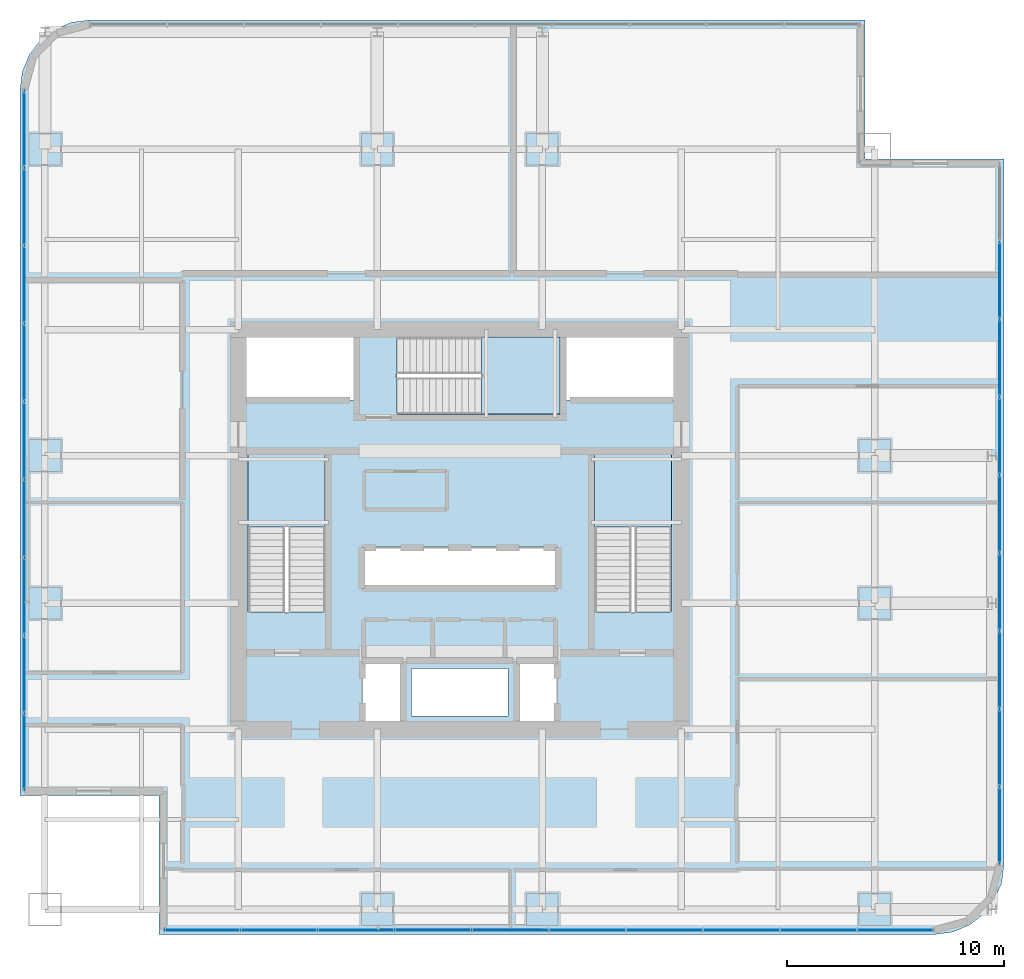
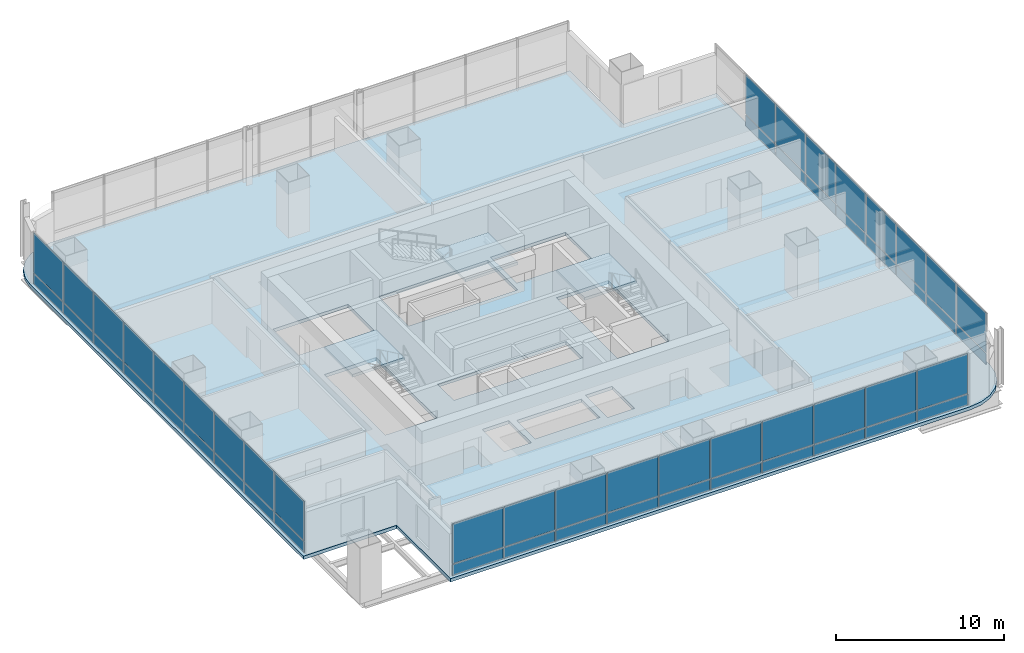
# One storey, part 26 of 35: 54 plates, 4 slabs, 6 elements without a shape of their own.
"""IFC4 building model written with IfcOpenShell, lengths in metres."""

from ifc_helpers import new_model, si_unit, direction, frame, origin, origin_2d, place, context, subcontext, project, spatial, polyline, rectangle, outline, extrude, material, layer, layer_set, type_object, element, aggregate, save


model = new_model("IFC4")

# Units and contexts
model_context = context("Model", 3, precision=1e-05, world=origin(), true_north=direction((0.0, 1.0)))
body_context = subcontext(model_context, "Body", "Model", "MODEL_VIEW")
ifc_project = project(units=[si_unit("LENGTHUNIT", "METRE"), si_unit("AREAUNIT", "SQUARE_METRE"), si_unit("VOLUMEUNIT", "CUBIC_METRE"), si_unit("PLANEANGLEUNIT", "RADIAN"), si_unit("MASSUNIT", "GRAM", prefix="KILO")], contexts=[model_context])

# Site, building, storey
site_placement = place(None, origin())
site = spatial("IfcSite", under=ifc_project, at=site_placement, CompositionType="ELEMENT")
building_placement = place(site_placement, origin())
building = spatial("IfcBuilding", under=site, at=building_placement, Name="Punatoya Terracotta Tower", CompositionType="ELEMENT")
storey_placement = place(building_placement, frame((0.0, 0.0, 113.25)))
storey = spatial("IfcBuildingStorey", under=building, at=storey_placement, Name="L26", CompositionType="ELEMENT", Elevation=113.25)

# Curtain wall, plates
ifc_material_1 = material(Name="Aluminium 6063-T6 + Double Low-E Glass", Category="aluminium")
curtain_wall_type = type_object("IfcCurtainWallType", Name="CW-M1", PredefinedType="NOTDEFINED", material=ifc_material_1)
curtain_wall_1_placement = place(storey_placement, origin())
curtain_wall_1 = element("IfcCurtainWall", 1, at=curtain_wall_1_placement, inside=storey, type_object=curtain_wall_type, Name="L26 Curtain Wall CW-L26-S01-1", PredefinedType="NOTDEFINED")
ifc_material_2 = material(Name="Double Low-E Clear Vision Glass", Category="glass")
ifc_layer_1 = layer(ifc_material_2, 0.028076171875)
ifc_layer_set_1 = layer_set([ifc_layer_1], Name="Double Low-E Clear Vision Glass")
plate_type_1 = type_object("IfcPlateType", Name="PLT-GLZ-28", PredefinedType="CURTAIN_PANEL", material=ifc_layer_set_1)
plate_1_placement = place(storey_placement, frame((-11.875732421875, -18.449951171875, 0.89013671875), z_axis=(0.0, 0.0, 1.0), x_axis=(1.0, 0.0, 0.0)))
plate_1 = element("IfcPlate", 2, at=plate_1_placement, type_object=plate_type_1, Name="CW-L26-S01-1 Vision Glass Panel 1", PredefinedType="CURTAIN_PANEL", context=body_context, shape_type="SweptSolid", body=[
    extrude(rectangle(XDim=3.463623046875, YDim=0.028076171875, at=origin_2d()), origin(), (0.0, 0.0, 1.0), 2.8798828125),
])
plate_2_placement = place(storey_placement, frame((-8.326904296875, -18.449951171875, 0.89013671875), z_axis=(0.0, 0.0, 1.0), x_axis=(1.0, 0.0, 0.0)))
plate_2 = element("IfcPlate", 3, at=plate_2_placement, type_object=plate_type_1, Name="CW-L26-S01-1 Vision Glass Panel 2", PredefinedType="CURTAIN_PANEL", context=body_context, shape_type="SweptSolid", body=[
    extrude(rectangle(XDim=3.463623046875, YDim=0.028076171875, at=origin_2d()), origin(), (0.0, 0.0, 1.0), 2.8798828125),
])
plate_3_placement = place(storey_placement, frame((-4.7783203125, -18.449951171875, 0.89013671875), z_axis=(0.0, 0.0, 1.0), x_axis=(1.0, 0.0, 0.0)))
plate_3 = element("IfcPlate", 4, at=plate_3_placement, type_object=plate_type_1, Name="CW-L26-S01-1 Vision Glass Panel 3", PredefinedType="CURTAIN_PANEL", context=body_context, shape_type="SweptSolid", body=[
    extrude(rectangle(XDim=3.463623046875, YDim=0.028076171875, at=origin_2d()), origin(), (0.0, 0.0, 1.0), 2.8798828125),
])
plate_4_placement = place(storey_placement, frame((-1.2294921875, -18.449951171875, 0.89013671875), z_axis=(0.0, 0.0, 1.0), x_axis=(1.0, 0.0, 0.0)))
plate_4 = element("IfcPlate", 5, at=plate_4_placement, type_object=plate_type_1, Name="CW-L26-S01-1 Vision Glass Panel 4", PredefinedType="CURTAIN_PANEL", context=body_context, shape_type="SweptSolid", body=[
    extrude(rectangle(XDim=3.463623046875, YDim=0.028076171875, at=origin_2d()), origin(), (0.0, 0.0, 1.0), 2.8798828125),
])
plate_5_placement = place(storey_placement, frame((2.319091796875, -18.449951171875, 0.89013671875), z_axis=(0.0, 0.0, 1.0), x_axis=(1.0, 0.0, 0.0)))
plate_5 = element("IfcPlate", 6, at=plate_5_placement, type_object=plate_type_1, Name="CW-L26-S01-1 Vision Glass Panel 5", PredefinedType="CURTAIN_PANEL", context=body_context, shape_type="SweptSolid", body=[
    extrude(rectangle(XDim=3.463623046875, YDim=0.028076171875, at=origin_2d()), origin(), (0.0, 0.0, 1.0), 2.8798828125),
])
plate_6_placement = place(storey_placement, frame((5.867919921875, -18.449951171875, 0.89013671875), z_axis=(0.0, 0.0, 1.0), x_axis=(1.0, 0.0, 0.0)))
plate_6 = element("IfcPlate", 7, at=plate_6_placement, type_object=plate_type_1, Name="CW-L26-S01-1 Vision Glass Panel 6", PredefinedType="CURTAIN_PANEL", context=body_context, shape_type="SweptSolid", body=[
    extrude(rectangle(XDim=3.463623046875, YDim=0.028076171875, at=origin_2d()), origin(), (0.0, 0.0, 1.0), 2.8798828125),
])
plate_7_placement = place(storey_placement, frame((9.41650390625, -18.449951171875, 0.89013671875), z_axis=(0.0, 0.0, 1.0), x_axis=(1.0, 0.0, 0.0)))
plate_7 = element("IfcPlate", 8, at=plate_7_placement, type_object=plate_type_1, Name="CW-L26-S01-1 Vision Glass Panel 7", PredefinedType="CURTAIN_PANEL", context=body_context, shape_type="SweptSolid", body=[
    extrude(rectangle(XDim=3.463623046875, YDim=0.028076171875, at=origin_2d()), origin(), (0.0, 0.0, 1.0), 2.8798828125),
])
plate_8_placement = place(storey_placement, frame((12.965087890625, -18.449951171875, 0.89013671875), z_axis=(0.0, 0.0, 1.0), x_axis=(1.0, 0.0, 0.0)))
plate_8 = element("IfcPlate", 9, at=plate_8_placement, type_object=plate_type_1, Name="CW-L26-S01-1 Vision Glass Panel 8", PredefinedType="CURTAIN_PANEL", context=body_context, shape_type="SweptSolid", body=[
    extrude(rectangle(XDim=3.463623046875, YDim=0.028076171875, at=origin_2d()), origin(), (0.0, 0.0, 1.0), 2.8798828125),
])
plate_9_placement = place(storey_placement, frame((16.513916015625, -18.449951171875, 0.89013671875), z_axis=(0.0, 0.0, 1.0), x_axis=(1.0, 0.0, 0.0)))
plate_9 = element("IfcPlate", 10, at=plate_9_placement, type_object=plate_type_1, Name="CW-L26-S01-1 Vision Glass Panel 9", PredefinedType="CURTAIN_PANEL", context=body_context, shape_type="SweptSolid", body=[
    extrude(rectangle(XDim=3.463623046875, YDim=0.028076171875, at=origin_2d()), origin(), (0.0, 0.0, 1.0), 2.8798828125),
])
plate_10_placement = place(storey_placement, frame((20.0625, -18.449951171875, 0.89013671875), z_axis=(0.0, 0.0, 1.0), x_axis=(1.0, 0.0, 0.0)))
plate_10 = element("IfcPlate", 11, at=plate_10_placement, type_object=plate_type_1, Name="CW-L26-S01-1 Vision Glass Panel 10", PredefinedType="CURTAIN_PANEL", context=body_context, shape_type="SweptSolid", body=[
    extrude(rectangle(XDim=3.463623046875, YDim=0.028076171875, at=origin_2d()), origin(), (0.0, 0.0, 1.0), 2.8798828125),
])

curtain_wall_2_placement = place(storey_placement, origin())
curtain_wall_2 = element("IfcCurtainWall", 12, at=curtain_wall_2_placement, inside=storey, type_object=curtain_wall_type, Name="L26 Curtain Wall CW-L26-E05-1", PredefinedType="NOTDEFINED")
plate_11_placement = place(storey_placement, frame((24.85009765625, -13.643310546875, 0.89013671875), z_axis=(0.0, 0.0, 1.0), x_axis=(0.0, 1.0, 0.0)))
plate_11 = element("IfcPlate", 13, at=plate_11_placement, type_object=plate_type_1, Name="CW-L26-E05-1 Vision Glass Panel 1", PredefinedType="CURTAIN_PANEL", context=body_context, shape_type="SweptSolid", body=[
    extrude(rectangle(XDim=3.50244140625, YDim=0.028076171875, at=origin_2d()), origin(), (0.0, 0.0, 1.0), 2.8798828125),
])
plate_12_placement = place(storey_placement, frame((24.85009765625, -10.0556640625, 0.89013671875), z_axis=(0.0, 0.0, 1.0), x_axis=(0.0, 1.0, 0.0)))
plate_12 = element("IfcPlate", 14, at=plate_12_placement, type_object=plate_type_1, Name="CW-L26-E05-1 Vision Glass Panel 2", PredefinedType="CURTAIN_PANEL", context=body_context, shape_type="SweptSolid", body=[
    extrude(rectangle(XDim=3.50244140625, YDim=0.028076171875, at=origin_2d()), origin(), (0.0, 0.0, 1.0), 2.8798828125),
])
plate_13_placement = place(storey_placement, frame((24.85009765625, -6.46826171875, 0.89013671875), z_axis=(0.0, 0.0, 1.0), x_axis=(0.0, 1.0, 0.0)))
plate_13 = element("IfcPlate", 15, at=plate_13_placement, type_object=plate_type_1, Name="CW-L26-E05-1 Vision Glass Panel 3", PredefinedType="CURTAIN_PANEL", context=body_context, shape_type="SweptSolid", body=[
    extrude(rectangle(XDim=3.50244140625, YDim=0.028076171875, at=origin_2d()), origin(), (0.0, 0.0, 1.0), 2.8798828125),
])
plate_14_placement = place(storey_placement, frame((24.85009765625, -2.880859375, 0.89013671875), z_axis=(0.0, 0.0, 1.0), x_axis=(0.0, 1.0, 0.0)))
plate_14 = element("IfcPlate", 16, at=plate_14_placement, type_object=plate_type_1, Name="CW-L26-E05-1 Vision Glass Panel 4", PredefinedType="CURTAIN_PANEL", context=body_context, shape_type="SweptSolid", body=[
    extrude(rectangle(XDim=3.50244140625, YDim=0.028076171875, at=origin_2d()), origin(), (0.0, 0.0, 1.0), 2.8798828125),
])
plate_15_placement = place(storey_placement, frame((24.85009765625, 0.70654296875, 0.89013671875), z_axis=(0.0, 0.0, 1.0), x_axis=(0.0, 1.0, 0.0)))
plate_15 = element("IfcPlate", 17, at=plate_15_placement, type_object=plate_type_1, Name="CW-L26-E05-1 Vision Glass Panel 5", PredefinedType="CURTAIN_PANEL", context=body_context, shape_type="SweptSolid", body=[
    extrude(rectangle(XDim=3.50244140625, YDim=0.028076171875, at=origin_2d()), origin(), (0.0, 0.0, 1.0), 2.8798828125),
])
plate_16_placement = place(storey_placement, frame((24.85009765625, 4.2939453125, 0.89013671875), z_axis=(0.0, 0.0, 1.0), x_axis=(0.0, 1.0, 0.0)))
plate_16 = element("IfcPlate", 18, at=plate_16_placement, type_object=plate_type_1, Name="CW-L26-E05-1 Vision Glass Panel 6", PredefinedType="CURTAIN_PANEL", context=body_context, shape_type="SweptSolid", body=[
    extrude(rectangle(XDim=3.50244140625, YDim=0.028076171875, at=origin_2d()), origin(), (0.0, 0.0, 1.0), 2.8798828125),
])
plate_17_placement = place(storey_placement, frame((24.85009765625, 7.88134765625, 0.89013671875), z_axis=(0.0, 0.0, 1.0), x_axis=(0.0, 1.0, 0.0)))
plate_17 = element("IfcPlate", 19, at=plate_17_placement, type_object=plate_type_1, Name="CW-L26-E05-1 Vision Glass Panel 7", PredefinedType="CURTAIN_PANEL", context=body_context, shape_type="SweptSolid", body=[
    extrude(rectangle(XDim=3.50244140625, YDim=0.028076171875, at=origin_2d()), origin(), (0.0, 0.0, 1.0), 2.8798828125),
])
plate_18_placement = place(storey_placement, frame((24.85009765625, 11.468994140625, 0.89013671875), z_axis=(0.0, 0.0, 1.0), x_axis=(0.0, 1.0, 0.0)))
plate_18 = element("IfcPlate", 20, at=plate_18_placement, type_object=plate_type_1, Name="CW-L26-E05-1 Vision Glass Panel 8", PredefinedType="CURTAIN_PANEL", context=body_context, shape_type="SweptSolid", body=[
    extrude(rectangle(XDim=3.50244140625, YDim=0.028076171875, at=origin_2d()), origin(), (0.0, 0.0, 1.0), 2.8798828125),
])

curtain_wall_3_placement = place(storey_placement, origin())
curtain_wall_3 = element("IfcCurtainWall", 21, at=curtain_wall_3_placement, inside=storey, type_object=curtain_wall_type, Name="L26 Curtain Wall CW-L26-W12-1", PredefinedType="NOTDEFINED")
plate_19_placement = place(storey_placement, frame((-20.050048828125, 18.443115234375, 0.89013671875), z_axis=(0.0, 0.0, 1.0), x_axis=(0.0, -1.0, 0.0)))
plate_19 = element("IfcPlate", 22, at=plate_19_placement, type_object=plate_type_1, Name="CW-L26-W12-1 Vision Glass Panel 1", PredefinedType="CURTAIN_PANEL", context=body_context, shape_type="SweptSolid", body=[
    extrude(rectangle(XDim=3.50244140625, YDim=0.028076171875, at=origin_2d()), origin(), (0.0, 0.0, 1.0), 2.8798828125),
])
plate_20_placement = place(storey_placement, frame((-20.050048828125, 14.855712890625, 0.89013671875), z_axis=(0.0, 0.0, 1.0), x_axis=(0.0, -1.0, 0.0)))
plate_20 = element("IfcPlate", 23, at=plate_20_placement, type_object=plate_type_1, Name="CW-L26-W12-1 Vision Glass Panel 2", PredefinedType="CURTAIN_PANEL", context=body_context, shape_type="SweptSolid", body=[
    extrude(rectangle(XDim=3.50244140625, YDim=0.028076171875, at=origin_2d()), origin(), (0.0, 0.0, 1.0), 2.8798828125),
])
plate_21_placement = place(storey_placement, frame((-20.050048828125, 11.268310546875, 0.89013671875), z_axis=(0.0, 0.0, 1.0), x_axis=(0.0, -1.0, 0.0)))
plate_21 = element("IfcPlate", 24, at=plate_21_placement, type_object=plate_type_1, Name="CW-L26-W12-1 Vision Glass Panel 3", PredefinedType="CURTAIN_PANEL", context=body_context, shape_type="SweptSolid", body=[
    extrude(rectangle(XDim=3.50244140625, YDim=0.028076171875, at=origin_2d()), origin(), (0.0, 0.0, 1.0), 2.8798828125),
])
plate_22_placement = place(storey_placement, frame((-20.050048828125, 7.680908203125, 0.89013671875), z_axis=(0.0, 0.0, 1.0), x_axis=(0.0, -1.0, 0.0)))
plate_22 = element("IfcPlate", 25, at=plate_22_placement, type_object=plate_type_1, Name="CW-L26-W12-1 Vision Glass Panel 4", PredefinedType="CURTAIN_PANEL", context=body_context, shape_type="SweptSolid", body=[
    extrude(rectangle(XDim=3.50244140625, YDim=0.028076171875, at=origin_2d()), origin(), (0.0, 0.0, 1.0), 2.8798828125),
])
plate_23_placement = place(storey_placement, frame((-20.050048828125, 4.093505859375, 0.89013671875), z_axis=(0.0, 0.0, 1.0), x_axis=(0.0, -1.0, 0.0)))
plate_23 = element("IfcPlate", 26, at=plate_23_placement, type_object=plate_type_1, Name="CW-L26-W12-1 Vision Glass Panel 5", PredefinedType="CURTAIN_PANEL", context=body_context, shape_type="SweptSolid", body=[
    extrude(rectangle(XDim=3.50244140625, YDim=0.028076171875, at=origin_2d()), origin(), (0.0, 0.0, 1.0), 2.8798828125),
])
plate_24_placement = place(storey_placement, frame((-20.050048828125, 0.506103515625, 0.89013671875), z_axis=(0.0, 0.0, 1.0), x_axis=(0.0, -1.0, 0.0)))
plate_24 = element("IfcPlate", 27, at=plate_24_placement, type_object=plate_type_1, Name="CW-L26-W12-1 Vision Glass Panel 6", PredefinedType="CURTAIN_PANEL", context=body_context, shape_type="SweptSolid", body=[
    extrude(rectangle(XDim=3.50244140625, YDim=0.028076171875, at=origin_2d()), origin(), (0.0, 0.0, 1.0), 2.8798828125),
])
plate_25_placement = place(storey_placement, frame((-20.050048828125, -3.081298828125, 0.89013671875), z_axis=(0.0, 0.0, 1.0), x_axis=(0.0, -1.0, 0.0)))
plate_25 = element("IfcPlate", 28, at=plate_25_placement, type_object=plate_type_1, Name="CW-L26-W12-1 Vision Glass Panel 7", PredefinedType="CURTAIN_PANEL", context=body_context, shape_type="SweptSolid", body=[
    extrude(rectangle(XDim=3.50244140625, YDim=0.028076171875, at=origin_2d()), origin(), (0.0, 0.0, 1.0), 2.8798828125),
])
plate_26_placement = place(storey_placement, frame((-20.050048828125, -6.6689453125, 0.89013671875), z_axis=(0.0, 0.0, 1.0), x_axis=(0.0, -1.0, 0.0)))
plate_26 = element("IfcPlate", 29, at=plate_26_placement, type_object=plate_type_1, Name="CW-L26-W12-1 Vision Glass Panel 8", PredefinedType="CURTAIN_PANEL", context=body_context, shape_type="SweptSolid", body=[
    extrude(rectangle(XDim=3.50244140625, YDim=0.028076171875, at=origin_2d()), origin(), (0.0, 0.0, 1.0), 2.8798828125),
])
plate_27_placement = place(storey_placement, frame((-20.050048828125, -10.25634765625, 0.89013671875), z_axis=(0.0, 0.0, 1.0), x_axis=(0.0, -1.0, 0.0)))
plate_27 = element("IfcPlate", 30, at=plate_27_placement, type_object=plate_type_1, Name="CW-L26-W12-1 Vision Glass Panel 9", PredefinedType="CURTAIN_PANEL", context=body_context, shape_type="SweptSolid", body=[
    extrude(rectangle(XDim=3.50244140625, YDim=0.028076171875, at=origin_2d()), origin(), (0.0, 0.0, 1.0), 2.8798828125),
])

# Plate
ifc_material_3 = material(Name="Insulated Terracotta-Backed Spandrel Panel", Category="masonry")
ifc_layer_2 = layer(ifc_material_3, 0.044921875)
ifc_layer_set_2 = layer_set([ifc_layer_2], Name="Insulated Terracotta-Backed Spandrel Panel")
plate_type_2 = type_object("IfcPlateType", Name="PLT-SPN-45", PredefinedType="CURTAIN_PANEL", material=ifc_layer_set_2)
plate_28_placement = place(storey_placement, frame((-11.875732421875, -18.449951171875, 0.0400390625), z_axis=(0.0, 0.0, 1.0), x_axis=(1.0, 0.0, 0.0)))
plate_28 = element("IfcPlate", 31, at=plate_28_placement, type_object=plate_type_2, Name="CW-L26-S01-1 Terracotta Spandrel Panel 1", PredefinedType="CURTAIN_PANEL", context=body_context, shape_type="SweptSolid", body=[
    extrude(rectangle(XDim=3.463623046875, YDim=0.044921875, at=origin_2d()), origin(), (0.0, 0.0, 1.0), 0.77490234375),
])

plate_29_placement = place(storey_placement, frame((-8.326904296875, -18.449951171875, 0.0400390625), z_axis=(0.0, 0.0, 1.0), x_axis=(1.0, 0.0, 0.0)))
plate_29 = element("IfcPlate", 32, at=plate_29_placement, type_object=plate_type_2, Name="CW-L26-S01-1 Terracotta Spandrel Panel 2", PredefinedType="CURTAIN_PANEL", context=body_context, shape_type="SweptSolid", body=[
    extrude(rectangle(XDim=3.463623046875, YDim=0.044921875, at=origin_2d()), origin(), (0.0, 0.0, 1.0), 0.77490234375),
])

plate_30_placement = place(storey_placement, frame((-4.7783203125, -18.449951171875, 0.0400390625), z_axis=(0.0, 0.0, 1.0), x_axis=(1.0, 0.0, 0.0)))
plate_30 = element("IfcPlate", 33, at=plate_30_placement, type_object=plate_type_2, Name="CW-L26-S01-1 Terracotta Spandrel Panel 3", PredefinedType="CURTAIN_PANEL", context=body_context, shape_type="SweptSolid", body=[
    extrude(rectangle(XDim=3.463623046875, YDim=0.044921875, at=origin_2d()), origin(), (0.0, 0.0, 1.0), 0.77490234375),
])

plate_31_placement = place(storey_placement, frame((-1.2294921875, -18.449951171875, 0.0400390625), z_axis=(0.0, 0.0, 1.0), x_axis=(1.0, 0.0, 0.0)))
plate_31 = element("IfcPlate", 34, at=plate_31_placement, type_object=plate_type_2, Name="CW-L26-S01-1 Terracotta Spandrel Panel 4", PredefinedType="CURTAIN_PANEL", context=body_context, shape_type="SweptSolid", body=[
    extrude(rectangle(XDim=3.463623046875, YDim=0.044921875, at=origin_2d()), origin(), (0.0, 0.0, 1.0), 0.77490234375),
])

plate_32_placement = place(storey_placement, frame((2.319091796875, -18.449951171875, 0.0400390625), z_axis=(0.0, 0.0, 1.0), x_axis=(1.0, 0.0, 0.0)))
plate_32 = element("IfcPlate", 35, at=plate_32_placement, type_object=plate_type_2, Name="CW-L26-S01-1 Terracotta Spandrel Panel 5", PredefinedType="CURTAIN_PANEL", context=body_context, shape_type="SweptSolid", body=[
    extrude(rectangle(XDim=3.463623046875, YDim=0.044921875, at=origin_2d()), origin(), (0.0, 0.0, 1.0), 0.77490234375),
])

plate_33_placement = place(storey_placement, frame((5.867919921875, -18.449951171875, 0.0400390625), z_axis=(0.0, 0.0, 1.0), x_axis=(1.0, 0.0, 0.0)))
plate_33 = element("IfcPlate", 36, at=plate_33_placement, type_object=plate_type_2, Name="CW-L26-S01-1 Terracotta Spandrel Panel 6", PredefinedType="CURTAIN_PANEL", context=body_context, shape_type="SweptSolid", body=[
    extrude(rectangle(XDim=3.463623046875, YDim=0.044921875, at=origin_2d()), origin(), (0.0, 0.0, 1.0), 0.77490234375),
])

plate_34_placement = place(storey_placement, frame((9.41650390625, -18.449951171875, 0.0400390625), z_axis=(0.0, 0.0, 1.0), x_axis=(1.0, 0.0, 0.0)))
plate_34 = element("IfcPlate", 37, at=plate_34_placement, type_object=plate_type_2, Name="CW-L26-S01-1 Terracotta Spandrel Panel 7", PredefinedType="CURTAIN_PANEL", context=body_context, shape_type="SweptSolid", body=[
    extrude(rectangle(XDim=3.463623046875, YDim=0.044921875, at=origin_2d()), origin(), (0.0, 0.0, 1.0), 0.77490234375),
])

plate_35_placement = place(storey_placement, frame((12.965087890625, -18.449951171875, 0.0400390625), z_axis=(0.0, 0.0, 1.0), x_axis=(1.0, 0.0, 0.0)))
plate_35 = element("IfcPlate", 38, at=plate_35_placement, type_object=plate_type_2, Name="CW-L26-S01-1 Terracotta Spandrel Panel 8", PredefinedType="CURTAIN_PANEL", context=body_context, shape_type="SweptSolid", body=[
    extrude(rectangle(XDim=3.463623046875, YDim=0.044921875, at=origin_2d()), origin(), (0.0, 0.0, 1.0), 0.77490234375),
])

plate_36_placement = place(storey_placement, frame((16.513916015625, -18.449951171875, 0.0400390625), z_axis=(0.0, 0.0, 1.0), x_axis=(1.0, 0.0, 0.0)))
plate_36 = element("IfcPlate", 39, at=plate_36_placement, type_object=plate_type_2, Name="CW-L26-S01-1 Terracotta Spandrel Panel 9", PredefinedType="CURTAIN_PANEL", context=body_context, shape_type="SweptSolid", body=[
    extrude(rectangle(XDim=3.463623046875, YDim=0.044921875, at=origin_2d()), origin(), (0.0, 0.0, 1.0), 0.77490234375),
])

plate_37_placement = place(storey_placement, frame((20.0625, -18.449951171875, 0.0400390625), z_axis=(0.0, 0.0, 1.0), x_axis=(1.0, 0.0, 0.0)))
plate_37 = element("IfcPlate", 40, at=plate_37_placement, type_object=plate_type_2, Name="CW-L26-S01-1 Terracotta Spandrel Panel 10", PredefinedType="CURTAIN_PANEL", context=body_context, shape_type="SweptSolid", body=[
    extrude(rectangle(XDim=3.463623046875, YDim=0.044921875, at=origin_2d()), origin(), (0.0, 0.0, 1.0), 0.77490234375),
])

aggregate(curtain_wall_1, [plate_28, plate_1, plate_29, plate_2, plate_30, plate_3, plate_31, plate_4, plate_32, plate_5, plate_33, plate_6, plate_34, plate_7, plate_35, plate_8, plate_36, plate_9, plate_37, plate_10])

plate_38_placement = place(storey_placement, frame((24.85009765625, -13.643310546875, 0.0400390625), z_axis=(0.0, 0.0, 1.0), x_axis=(0.0, 1.0, 0.0)))
plate_38 = element("IfcPlate", 41, at=plate_38_placement, type_object=plate_type_2, Name="CW-L26-E05-1 Terracotta Spandrel Panel 1", PredefinedType="CURTAIN_PANEL", context=body_context, shape_type="SweptSolid", body=[
    extrude(rectangle(XDim=3.50244140625, YDim=0.044921875, at=origin_2d()), origin(), (0.0, 0.0, 1.0), 0.77490234375),
])

plate_39_placement = place(storey_placement, frame((24.85009765625, -10.0556640625, 0.0400390625), z_axis=(0.0, 0.0, 1.0), x_axis=(0.0, 1.0, 0.0)))
plate_39 = element("IfcPlate", 42, at=plate_39_placement, type_object=plate_type_2, Name="CW-L26-E05-1 Terracotta Spandrel Panel 2", PredefinedType="CURTAIN_PANEL", context=body_context, shape_type="SweptSolid", body=[
    extrude(rectangle(XDim=3.50244140625, YDim=0.044921875, at=origin_2d()), origin(), (0.0, 0.0, 1.0), 0.77490234375),
])

plate_40_placement = place(storey_placement, frame((24.85009765625, -6.46826171875, 0.0400390625), z_axis=(0.0, 0.0, 1.0), x_axis=(0.0, 1.0, 0.0)))
plate_40 = element("IfcPlate", 43, at=plate_40_placement, type_object=plate_type_2, Name="CW-L26-E05-1 Terracotta Spandrel Panel 3", PredefinedType="CURTAIN_PANEL", context=body_context, shape_type="SweptSolid", body=[
    extrude(rectangle(XDim=3.50244140625, YDim=0.044921875, at=origin_2d()), origin(), (0.0, 0.0, 1.0), 0.77490234375),
])

plate_41_placement = place(storey_placement, frame((24.85009765625, -2.880859375, 0.0400390625), z_axis=(0.0, 0.0, 1.0), x_axis=(0.0, 1.0, 0.0)))
plate_41 = element("IfcPlate", 44, at=plate_41_placement, type_object=plate_type_2, Name="CW-L26-E05-1 Terracotta Spandrel Panel 4", PredefinedType="CURTAIN_PANEL", context=body_context, shape_type="SweptSolid", body=[
    extrude(rectangle(XDim=3.50244140625, YDim=0.044921875, at=origin_2d()), origin(), (0.0, 0.0, 1.0), 0.77490234375),
])

plate_42_placement = place(storey_placement, frame((24.85009765625, 0.70654296875, 0.0400390625), z_axis=(0.0, 0.0, 1.0), x_axis=(0.0, 1.0, 0.0)))
plate_42 = element("IfcPlate", 45, at=plate_42_placement, type_object=plate_type_2, Name="CW-L26-E05-1 Terracotta Spandrel Panel 5", PredefinedType="CURTAIN_PANEL", context=body_context, shape_type="SweptSolid", body=[
    extrude(rectangle(XDim=3.50244140625, YDim=0.044921875, at=origin_2d()), origin(), (0.0, 0.0, 1.0), 0.77490234375),
])

plate_43_placement = place(storey_placement, frame((24.85009765625, 4.2939453125, 0.0400390625), z_axis=(0.0, 0.0, 1.0), x_axis=(0.0, 1.0, 0.0)))
plate_43 = element("IfcPlate", 46, at=plate_43_placement, type_object=plate_type_2, Name="CW-L26-E05-1 Terracotta Spandrel Panel 6", PredefinedType="CURTAIN_PANEL", context=body_context, shape_type="SweptSolid", body=[
    extrude(rectangle(XDim=3.50244140625, YDim=0.044921875, at=origin_2d()), origin(), (0.0, 0.0, 1.0), 0.77490234375),
])

plate_44_placement = place(storey_placement, frame((24.85009765625, 7.88134765625, 0.0400390625), z_axis=(0.0, 0.0, 1.0), x_axis=(0.0, 1.0, 0.0)))
plate_44 = element("IfcPlate", 47, at=plate_44_placement, type_object=plate_type_2, Name="CW-L26-E05-1 Terracotta Spandrel Panel 7", PredefinedType="CURTAIN_PANEL", context=body_context, shape_type="SweptSolid", body=[
    extrude(rectangle(XDim=3.50244140625, YDim=0.044921875, at=origin_2d()), origin(), (0.0, 0.0, 1.0), 0.77490234375),
])

plate_45_placement = place(storey_placement, frame((24.85009765625, 11.468994140625, 0.0400390625), z_axis=(0.0, 0.0, 1.0), x_axis=(0.0, 1.0, 0.0)))
plate_45 = element("IfcPlate", 48, at=plate_45_placement, type_object=plate_type_2, Name="CW-L26-E05-1 Terracotta Spandrel Panel 8", PredefinedType="CURTAIN_PANEL", context=body_context, shape_type="SweptSolid", body=[
    extrude(rectangle(XDim=3.50244140625, YDim=0.044921875, at=origin_2d()), origin(), (0.0, 0.0, 1.0), 0.77490234375),
])

aggregate(curtain_wall_2, [plate_38, plate_11, plate_39, plate_12, plate_40, plate_13, plate_41, plate_14, plate_42, plate_15, plate_43, plate_16, plate_44, plate_17, plate_45, plate_18])

plate_46_placement = place(storey_placement, frame((-20.050048828125, 18.443115234375, 0.0400390625), z_axis=(0.0, 0.0, 1.0), x_axis=(0.0, -1.0, 0.0)))
plate_46 = element("IfcPlate", 49, at=plate_46_placement, type_object=plate_type_2, Name="CW-L26-W12-1 Terracotta Spandrel Panel 1", PredefinedType="CURTAIN_PANEL", context=body_context, shape_type="SweptSolid", body=[
    extrude(rectangle(XDim=3.50244140625, YDim=0.044921875, at=origin_2d()), origin(), (0.0, 0.0, 1.0), 0.77490234375),
])

plate_47_placement = place(storey_placement, frame((-20.050048828125, 14.855712890625, 0.0400390625), z_axis=(0.0, 0.0, 1.0), x_axis=(0.0, -1.0, 0.0)))
plate_47 = element("IfcPlate", 50, at=plate_47_placement, type_object=plate_type_2, Name="CW-L26-W12-1 Terracotta Spandrel Panel 2", PredefinedType="CURTAIN_PANEL", context=body_context, shape_type="SweptSolid", body=[
    extrude(rectangle(XDim=3.50244140625, YDim=0.044921875, at=origin_2d()), origin(), (0.0, 0.0, 1.0), 0.77490234375),
])

plate_48_placement = place(storey_placement, frame((-20.050048828125, 11.268310546875, 0.0400390625), z_axis=(0.0, 0.0, 1.0), x_axis=(0.0, -1.0, 0.0)))
plate_48 = element("IfcPlate", 51, at=plate_48_placement, type_object=plate_type_2, Name="CW-L26-W12-1 Terracotta Spandrel Panel 3", PredefinedType="CURTAIN_PANEL", context=body_context, shape_type="SweptSolid", body=[
    extrude(rectangle(XDim=3.50244140625, YDim=0.044921875, at=origin_2d()), origin(), (0.0, 0.0, 1.0), 0.77490234375),
])

plate_49_placement = place(storey_placement, frame((-20.050048828125, 7.680908203125, 0.0400390625), z_axis=(0.0, 0.0, 1.0), x_axis=(0.0, -1.0, 0.0)))
plate_49 = element("IfcPlate", 52, at=plate_49_placement, type_object=plate_type_2, Name="CW-L26-W12-1 Terracotta Spandrel Panel 4", PredefinedType="CURTAIN_PANEL", context=body_context, shape_type="SweptSolid", body=[
    extrude(rectangle(XDim=3.50244140625, YDim=0.044921875, at=origin_2d()), origin(), (0.0, 0.0, 1.0), 0.77490234375),
])

plate_50_placement = place(storey_placement, frame((-20.050048828125, 4.093505859375, 0.0400390625), z_axis=(0.0, 0.0, 1.0), x_axis=(0.0, -1.0, 0.0)))
plate_50 = element("IfcPlate", 53, at=plate_50_placement, type_object=plate_type_2, Name="CW-L26-W12-1 Terracotta Spandrel Panel 5", PredefinedType="CURTAIN_PANEL", context=body_context, shape_type="SweptSolid", body=[
    extrude(rectangle(XDim=3.50244140625, YDim=0.044921875, at=origin_2d()), origin(), (0.0, 0.0, 1.0), 0.77490234375),
])

plate_51_placement = place(storey_placement, frame((-20.050048828125, 0.506103515625, 0.0400390625), z_axis=(0.0, 0.0, 1.0), x_axis=(0.0, -1.0, 0.0)))
plate_51 = element("IfcPlate", 54, at=plate_51_placement, type_object=plate_type_2, Name="CW-L26-W12-1 Terracotta Spandrel Panel 6", PredefinedType="CURTAIN_PANEL", context=body_context, shape_type="SweptSolid", body=[
    extrude(rectangle(XDim=3.50244140625, YDim=0.044921875, at=origin_2d()), origin(), (0.0, 0.0, 1.0), 0.77490234375),
])

plate_52_placement = place(storey_placement, frame((-20.050048828125, -3.081298828125, 0.0400390625), z_axis=(0.0, 0.0, 1.0), x_axis=(0.0, -1.0, 0.0)))
plate_52 = element("IfcPlate", 55, at=plate_52_placement, type_object=plate_type_2, Name="CW-L26-W12-1 Terracotta Spandrel Panel 7", PredefinedType="CURTAIN_PANEL", context=body_context, shape_type="SweptSolid", body=[
    extrude(rectangle(XDim=3.50244140625, YDim=0.044921875, at=origin_2d()), origin(), (0.0, 0.0, 1.0), 0.77490234375),
])

plate_53_placement = place(storey_placement, frame((-20.050048828125, -6.6689453125, 0.0400390625), z_axis=(0.0, 0.0, 1.0), x_axis=(0.0, -1.0, 0.0)))
plate_53 = element("IfcPlate", 56, at=plate_53_placement, type_object=plate_type_2, Name="CW-L26-W12-1 Terracotta Spandrel Panel 8", PredefinedType="CURTAIN_PANEL", context=body_context, shape_type="SweptSolid", body=[
    extrude(rectangle(XDim=3.50244140625, YDim=0.044921875, at=origin_2d()), origin(), (0.0, 0.0, 1.0), 0.77490234375),
])

plate_54_placement = place(storey_placement, frame((-20.050048828125, -10.25634765625, 0.0400390625), z_axis=(0.0, 0.0, 1.0), x_axis=(0.0, -1.0, 0.0)))
plate_54 = element("IfcPlate", 57, at=plate_54_placement, type_object=plate_type_2, Name="CW-L26-W12-1 Terracotta Spandrel Panel 9", PredefinedType="CURTAIN_PANEL", context=body_context, shape_type="SweptSolid", body=[
    extrude(rectangle(XDim=3.50244140625, YDim=0.044921875, at=origin_2d()), origin(), (0.0, 0.0, 1.0), 0.77490234375),
])

aggregate(curtain_wall_3, [plate_46, plate_19, plate_47, plate_20, plate_48, plate_21, plate_49, plate_22, plate_50, plate_23, plate_51, plate_24, plate_52, plate_25, plate_53, plate_26, plate_54, plate_27])

# Stair, slab
ifc_material_4 = material(Name="Concrete C40/50", Category="concrete")
stair_type_1 = type_object("IfcStairType", Name="STR-TER-1450", PredefinedType="HALF_TURN_STAIR", material=ifc_material_4)
stair_1_placement = place(storey_placement, origin())
stair_1 = element("IfcStair", 58, at=stair_1_placement, inside=storey, type_object=stair_type_1, Name="L26 Protected Core Exit Stair ST-3", PredefinedType="HALF_TURN_STAIR")
ifc_layer_3 = layer(ifc_material_4, 0.1650390625)
ifc_layer_set_3 = layer_set([ifc_layer_3], Name="Concrete C40/50")
slab_type_1 = type_object("IfcSlabType", Name="SLB-LND-165", PredefinedType="LANDING", material=ifc_layer_set_3)
slab_1_placement = place(storey_placement, frame((0.0, 0.0, 1.824951171875)))
slab_1 = element("IfcSlab", 59, at=slab_1_placement, type_object=slab_type_1, Name="ST-3 landing 1", PredefinedType="LANDING", context=body_context, shape_type="SweptSolid", body=[
    extrude(outline(polyline([(1.0, 5.300048828125), (4.60009765625, 5.300048828125), (4.60009765625, 8.85009765625), (1.0, 8.85009765625), (1.0, 5.300048828125)])), origin(), (0.0, 0.0, 1.0), 0.199951171875),
])
aggregate(stair_1, [slab_1])

stair_type_2 = type_object("IfcStairType", Name="STR-CORE-1550", PredefinedType="HALF_TURN_STAIR", material=ifc_material_4)
stair_2_placement = place(storey_placement, origin())
stair_2 = element("IfcStair", 60, at=stair_2_placement, inside=storey, type_object=stair_type_2, Name="L26 Protected Core Exit Stair ST-1", PredefinedType="HALF_TURN_STAIR")
ifc_layer_4 = layer(ifc_material_4, 0.179931640625)
ifc_layer_set_4 = layer_set([ifc_layer_4], Name="Concrete C40/50")
slab_type_2 = type_object("IfcSlabType", Name="SLB-LND-180", PredefinedType="LANDING", material=ifc_layer_set_4)
slab_2_placement = place(storey_placement, frame((0.0, 0.0, 1.824951171875)))
slab_2 = element("IfcSlab", 61, at=slab_2_placement, type_object=slab_type_2, Name="ST-1 landing 1", PredefinedType="LANDING", context=body_context, shape_type="SweptSolid", body=[
    extrude(outline(polyline([(-6.199951171875, 0.10009765625), (-6.199951171875, 3.449951171875), (-9.75, 3.449951171875), (-9.75, 0.10009765625), (-6.199951171875, 0.10009765625)])), origin(), (0.0, 0.0, 1.0), 0.199951171875),
])
aggregate(stair_2, [slab_2])

stair_type_3 = type_object("IfcStairType", Name="STR-LOB-1650", PredefinedType="HALF_TURN_STAIR", material=ifc_material_4)
stair_3_placement = place(storey_placement, origin())
stair_3 = element("IfcStair", 62, at=stair_3_placement, inside=storey, type_object=stair_type_3, Name="L26 Protected Core Exit Stair ST-2", PredefinedType="HALF_TURN_STAIR")
slab_3_placement = place(storey_placement, frame((0.0, 0.0, 1.824951171875)))
slab_3 = element("IfcSlab", 63, at=slab_3_placement, type_object=slab_type_2, Name="ST-2 landing 1", PredefinedType="LANDING", context=body_context, shape_type="SweptSolid", body=[
    extrude(outline(polyline([(9.75, 0.10009765625), (9.75, 3.449951171875), (6.199951171875, 3.449951171875), (6.199951171875, 0.10009765625), (9.75, 0.10009765625)])), origin(), (0.0, 0.0, 1.0), 0.199951171875),
])
aggregate(stair_3, [slab_3])

# Slab
ifc_layer_5 = layer(ifc_material_4, 0.239990234375)
ifc_layer_set_5 = layer_set([ifc_layer_5], Name="Concrete C40/50")
slab_type_3 = type_object("IfcSlabType", Name="SLB-OFF-240", PredefinedType="FLOOR", material=ifc_layer_set_5)
slab_4_placement = place(storey_placement, frame((0.0, 0.0, -0.239990234375)))
element("IfcSlab", 64, at=slab_4_placement, inside=storey, type_object=slab_type_3, Name="L26 Structural Floor Slab", PredefinedType="FLOOR", context=body_context, shape_type="SweptSolid", body=[
    extrude(outline(polyline([(-13.85009765625, -18.64990234375), (-13.85009765625, -12.25), (-20.25, -12.25), (-20.25, 20.25), (-20.14111328125, 21.078125), (-19.8212890625, 21.85009765625), (-19.312744140625, 22.5126953125), (-18.64990234375, 23.021240234375), (-17.878173828125, 23.341064453125), (-17.050048828125, 23.449951171875), (18.64990234375, 23.449951171875), (18.64990234375, 17.050048828125), (25.050048828125, 17.050048828125), (25.050048828125, -15.449951171875), (24.94091796875, -16.2783203125), (24.621337890625, -17.050048828125), (24.11279296875, -17.712646484375), (23.449951171875, -18.22119140625), (22.67822265625, -18.541015625), (21.85009765625, -18.64990234375), (-13.85009765625, -18.64990234375)]), holes=[polyline([(-2.6298828125, -6.179931640625), (-4.469970703125, -6.179931640625), (-4.469970703125, -8.820068359375), (-2.6298828125, -8.820068359375), (-2.6298828125, -6.179931640625)]), polyline([(0.02001953125, -8.594970703125), (2.219970703125, -8.594970703125), (2.219970703125, -6.405029296875), (0.02001953125, -6.405029296875), (-0.02001953125, -6.405029296875), (-2.219970703125, -6.405029296875), (-2.219970703125, -8.594970703125), (-0.02001953125, -8.594970703125), (0.02001953125, -8.594970703125)]), polyline([(-2.219970703125, -2.719970703125), (-2.179931640625, -2.719970703125), (-0.02001953125, -2.719970703125), (0.02001953125, -2.719970703125), (2.179931640625, -2.719970703125), (2.219970703125, -2.719970703125), (4.419921875, -2.719970703125), (4.419921875, -0.780029296875), (2.219970703125, -0.780029296875), (2.179931640625, -0.780029296875), (0.02001953125, -0.780029296875), (-0.02001953125, -0.780029296875), (-2.179931640625, -0.780029296875), (-2.219970703125, -0.780029296875), (-4.419921875, -0.780029296875), (-4.419921875, -2.719970703125), (-2.219970703125, -2.719970703125)]), polyline([(-6.199951171875, 3.449951171875), (-9.75, 3.449951171875), (-9.75, -3.79931640625), (-6.199951171875, -3.79931640625), (-6.199951171875, 3.449951171875)]), polyline([(4.60009765625, 5.300048828125), (4.60009765625, 8.85009765625), (-2.899169921875, 8.85009765625), (-2.899169921875, 5.300048828125), (4.60009765625, 5.300048828125)]), polyline([(-4.89990234375, 9.050048828125), (-10.050048828125, 9.050048828125), (-10.050048828125, 5.949951171875), (-4.89990234375, 5.949951171875), (-4.89990234375, 9.050048828125)]), polyline([(4.469970703125, -8.820068359375), (4.469970703125, -6.179931640625), (2.6298828125, -6.179931640625), (2.6298828125, -8.820068359375), (4.469970703125, -8.820068359375)]), polyline([(9.75, 3.449951171875), (6.199951171875, 3.449951171875), (6.199951171875, -3.79931640625), (9.75, -3.79931640625), (9.75, 3.449951171875)]), polyline([(10.050048828125, 5.949951171875), (10.050048828125, 9.050048828125), (4.89990234375, 9.050048828125), (4.89990234375, 5.949951171875), (10.050048828125, 5.949951171875)])]), origin(), (0.0, 0.0, 1.0), 0.239990234375),
])

save(model, "model.ifc")
